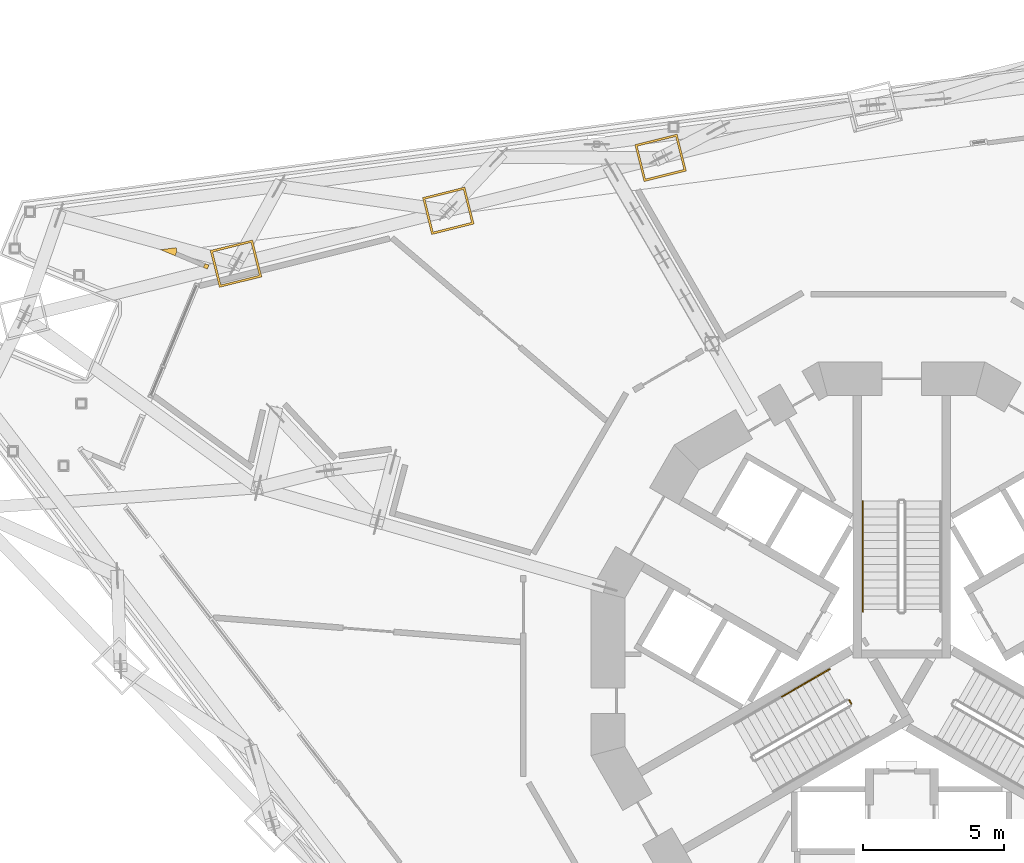
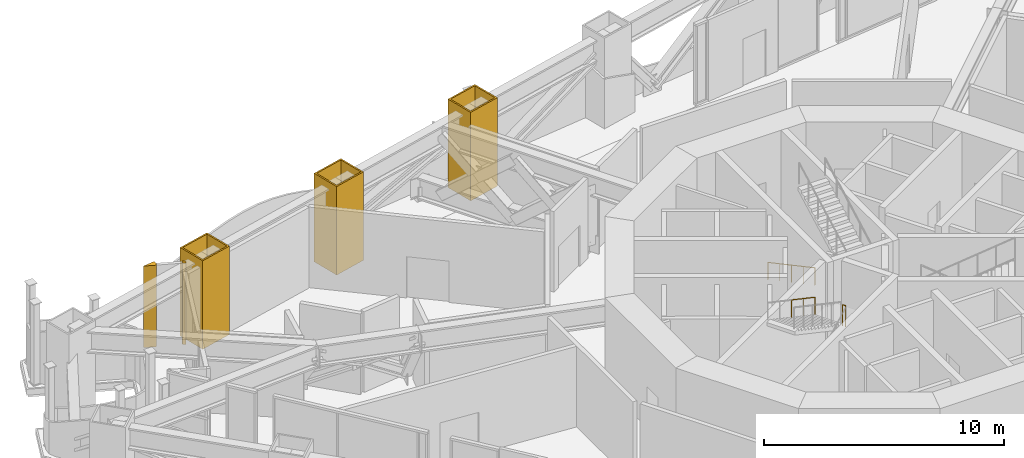
# One storey, part 29 of 31: 5 coverings, 3 railings.
"""IFC4 building model written with IfcOpenShell, lengths in metres."""

import ifcopenshell
import ifcopenshell.guid

model = None  # the IFC model being written
_history = None  # IfcOwnerHistory: only IFC2X3 demands one
_inside = {}  # id of a spatial element -> (the spatial element, [elements in it])
_under = {}  # id of a project, library or spatial element -> (it, [spatial elements below it])
_declared = {}  # id of a project -> (the project, [libraries it declares])
_typed = {}  # id of a type object -> (the type object, [elements of that type])
_made_of = {}  # id of a material, layer set ... -> (it, [elements and type objects made of it])


def new_model(schema):
    """Start an empty IFC model of exactly this schema.

    Asked for "IFC4X3", IfcOpenShell would pick the latest addendum, in which some entities
    have other attributes; the version numbers below select the first issue.
    IFC2X3 requires an IfcOwnerHistory on every rooted entity: one is made here for all.
    """
    global model, _history
    if schema == "IFC4X3":
        model = ifcopenshell.file(schema_version=(4, 3, 0, 0))
    else:
        model = ifcopenshell.file(schema=schema)
    _inside.clear()
    _under.clear()
    _declared.clear()
    _typed.clear()
    _made_of.clear()
    _history = None
    if model.schema == "IFC2X3":
        org = make("IfcOrganization", Name="unknown")
        user = make(
            "IfcPersonAndOrganization",
            ThePerson=make("IfcPerson", FamilyName="unknown"),
            TheOrganization=org,
        )
        app = make(
            "IfcApplication",
            ApplicationDeveloper=org,
            Version="unknown",
            ApplicationFullName="unknown",
            ApplicationIdentifier="unknown",
        )
        _history = make(
            "IfcOwnerHistory",
            OwningUser=user,
            OwningApplication=app,
            ChangeAction="ADDED",
            CreationDate=0,
        )
    return model


def make(cls, **values):
    """One entity of the class cls with the attributes given. An attribute that is None is left unset."""
    return model.create_entity(
        cls, **{name: value for name, value in values.items() if value is not None}
    )


def rooted(cls, **values):
    """An entity with a GlobalId (a new one), such as an element, a storey or a relation."""
    return make(cls, GlobalId=ifcopenshell.guid.new(), OwnerHistory=_history, **values)


def si_unit(unit_type, name, prefix=None):
    """IfcSIUnit, for example si_unit("LENGTHUNIT", "METRE", prefix="MILLI")."""
    return make("IfcSIUnit", UnitType=unit_type, Prefix=prefix, Name=name)


def assignment(units):
    """IfcUnitAssignment: the units of a project."""
    return None if units is None else make("IfcUnitAssignment", Units=units)


def point(xyz):
    """IfcCartesianPoint."""
    return None if xyz is None else make("IfcCartesianPoint", Coordinates=xyz)


def direction(xyz):
    """IfcDirection."""
    return None if xyz is None else make("IfcDirection", DirectionRatios=xyz)


def frame(location, z_axis=None, x_axis=None):
    """IfcAxis2Placement3D, a coordinate frame: its origin and axes. An axis left out is left unset."""
    return make(
        "IfcAxis2Placement3D",
        Location=point(location),
        Axis=direction(z_axis),
        RefDirection=direction(x_axis),
    )


def frame_2d(location, x_axis=None):
    """IfcAxis2Placement2D, a coordinate frame in the plane: its origin and x axis."""
    return make(
        "IfcAxis2Placement2D", Location=point(location), RefDirection=direction(x_axis)
    )


def origin():
    """The frame at (0, 0, 0) with its axes left unset."""
    return frame((0.0, 0.0, 0.0))


def origin_2d():
    """The frame at (0, 0) in the plane with its x axis left unset."""
    return frame_2d((0.0, 0.0))


def place(relative_to, where):
    """IfcLocalPlacement: puts the frame where relative to a parent placement (None: the world)."""
    return make(
        "IfcLocalPlacement", PlacementRelTo=relative_to, RelativePlacement=where
    )


def context(
    kind, dimensions, precision=None, world=None, true_north=None, identifier=None
):
    """IfcGeometricRepresentationContext, for example the 3D "Model" context."""
    return make(
        "IfcGeometricRepresentationContext",
        ContextIdentifier=identifier,
        ContextType=kind,
        CoordinateSpaceDimension=dimensions,
        Precision=precision,
        WorldCoordinateSystem=world,
        TrueNorth=true_north,
    )


def subcontext(parent, identifier, kind, view, scale=None):
    """IfcGeometricRepresentationSubContext, for example "Body" below "Model"."""
    return make(
        "IfcGeometricRepresentationSubContext",
        ContextIdentifier=identifier,
        ContextType=kind,
        ParentContext=parent,
        TargetScale=scale,
        TargetView=view,
    )


def project(units=None, contexts=None):
    """IfcProject with its units and contexts."""
    return rooted(
        "IfcProject",
        Name="project",
        RepresentationContexts=contexts,
        UnitsInContext=assignment(units),
    )


def spatial(cls, under=None, at=None, **own):
    """A site, building, storey or space (cls), placed at a placement, below another one or the project."""
    s = rooted(cls, ObjectPlacement=at, **own)
    if under is not None:
        _under.setdefault(under.id(), (under, []))[1].append(s)
    return s


def polyline(points):
    """IfcPolyline through the points."""
    return make("IfcPolyline", Points=[point(p) for p in points])


def profile(cls, at=None, kind="AREA", **sizes):
    """A parametric profile (cls). Its sizes go by their IFC names, for example OverallWidth=200.0."""
    return make(cls, ProfileType=kind, Position=at, **sizes)


def circle(**sizes):
    """IfcCircleProfileDef."""
    return profile("IfcCircleProfileDef", **sizes)


def outline(outer, holes=None, kind="AREA"):
    """IfcArbitraryClosedProfileDef: a profile drawn as a closed curve; with holes, ...WithVoids."""
    if holes is None:
        return make("IfcArbitraryClosedProfileDef", ProfileType=kind, OuterCurve=outer)
    return make(
        "IfcArbitraryProfileDefWithVoids",
        ProfileType=kind,
        OuterCurve=outer,
        InnerCurves=holes,
    )


def extrude(swept, where, along, depth):
    """IfcExtrudedAreaSolid: the profile swept, set in the frame where, extruded along a direction by depth."""
    return make(
        "IfcExtrudedAreaSolid",
        SweptArea=swept,
        Position=where,
        ExtrudedDirection=direction(along),
        Depth=depth,
    )


def shape(context_of_items, identifier, shape_type, items):
    """IfcShapeRepresentation: the items that make up one representation, for example the "Body"."""
    return make(
        "IfcShapeRepresentation",
        ContextOfItems=context_of_items,
        RepresentationIdentifier=identifier,
        RepresentationType=shape_type,
        Items=items,
    )


def material(Name=None, Category=None):
    """IfcMaterial."""
    return make("IfcMaterial", Name=Name, Category=Category)


def layer(
    of_material, thickness, ventilated=None, Name=None, Category=None, Priority=None
):
    """IfcMaterialLayer: one layer of a wall or slab, of a material (None: an air gap)."""
    return make(
        "IfcMaterialLayer",
        Material=of_material,
        LayerThickness=thickness,
        IsVentilated=ventilated,
        Name=Name,
        Category=Category,
        Priority=Priority,
    )


def layer_set(layers, Name=None):
    """IfcMaterialLayerSet."""
    return make("IfcMaterialLayerSet", MaterialLayers=layers, LayerSetName=Name)


def made_of(thing, what):
    """Note that an element or type object is made of a material, layer set ...; save() writes the relation."""
    if what is not None:
        _made_of.setdefault(what.id(), (what, []))[1].append(thing)
    return thing


def type_object(cls, material=None, **own):
    """A type object (cls), such as IfcWallType, which elements share."""
    return made_of(rooted(cls, **own), material)


def element(
    cls,
    number,
    at=None,
    inside=None,
    cuts=None,
    type_object=None,
    material=None,
    context=None,
    identifier="Body",
    shape_type=None,
    held_by="IfcProductDefinitionShape",
    body=None,
    shapes=None,
    **own,
):
    """One element of the class cls, such as IfcWall. Its Tag is "e" and its number.

    at: its placement. inside: the storey or other place that contains it. cuts: it is an
    opening in that element (IfcRelVoidsElement). A single representation is given by context,
    identifier, shape_type and body (its items); several are given by shapes. held_by: the class
    of the entity that holds the representations. save() writes the other relations.
    """
    e = rooted(cls, Tag="e%d" % number, ObjectPlacement=at, **own)
    if body is not None:
        shapes = [shape(context, identifier, shape_type, body)]
    if shapes is not None:
        e.Representation = make(held_by, Representations=shapes)
    if inside is not None:
        _inside.setdefault(inside.id(), (inside, []))[1].append(e)
    if cuts is not None:
        rooted(
            "IfcRelVoidsElement", RelatingBuildingElement=cuts, RelatedOpeningElement=e
        )
    if type_object is not None:
        _typed.setdefault(type_object.id(), (type_object, []))[1].append(e)
    return made_of(e, material)


def aggregate(whole, parts):
    """IfcRelAggregates: a whole, such as a stair, and the parts it consists of."""
    return rooted("IfcRelAggregates", RelatingObject=whole, RelatedObjects=parts)


def save(model, path):
    """Write the relations noted so far, then the file.

    IfcRelAggregates (storeys below a building ...), IfcRelContainedInSpatialStructure (elements
    in a storey), IfcRelDefinesByType, IfcRelAssociatesMaterial and IfcRelDeclares: one each for
    every whole, place, type object, material and project.
    """
    for whole, parts in _under.values():
        aggregate(whole, parts)
    for where, things in _inside.values():
        rooted(
            "IfcRelContainedInSpatialStructure",
            RelatedElements=things,
            RelatingStructure=where,
        )
    for kind, things in _typed.values():
        rooted("IfcRelDefinesByType", RelatedObjects=things, RelatingType=kind)
    for what, things in _made_of.values():
        rooted("IfcRelAssociatesMaterial", RelatedObjects=things, RelatingMaterial=what)
    for by, libraries in _declared.values():
        rooted("IfcRelDeclares", RelatingContext=by, RelatedDefinitions=libraries)
    model.write(path)


model = new_model("IFC4")

# Units and contexts
model_context = context("Model", 3, precision=1e-05, world=origin(), true_north=direction((0.0, 1.0)))
body_context = subcontext(model_context, "Body", "Model", "MODEL_VIEW")
ifc_project = project(units=[si_unit("LENGTHUNIT", "METRE"), si_unit("AREAUNIT", "SQUARE_METRE"), si_unit("VOLUMEUNIT", "CUBIC_METRE"), si_unit("PLANEANGLEUNIT", "RADIAN"), si_unit("MASSUNIT", "GRAM", prefix="KILO")], contexts=[model_context])

# Site, building, storey
site_placement = place(None, origin())
site = spatial("IfcSite", under=ifc_project, at=site_placement, CompositionType="ELEMENT")
building_placement = place(site_placement, origin())
building = spatial("IfcBuilding", under=site, at=building_placement, Name="Trine Commons Tower", CompositionType="ELEMENT")
storey_placement = place(building_placement, frame((0.0, 0.0, 82.800048828125)))
storey = spatial("IfcBuildingStorey", under=building, at=storey_placement, Name="L20", CompositionType="ELEMENT", Elevation=82.800048828125)

# Coverings
ifc_material_1 = material(Name="Aluminium-framed insulated wall panel", Category="aluminium")
ifc_layer_1 = layer(ifc_material_1, 0.14990234375)
ifc_layer_set_1 = layer_set([ifc_layer_1], Name="Aluminium-framed insulated wall panel")
covering_type_1 = type_object("IfcCoveringType", Name="Glazing corner post, aluminium", PredefinedType="CLADDING", material=ifc_layer_set_1)
covering_1_placement = place(storey_placement, origin())
element("IfcCovering", 1, at=covering_1_placement, inside=storey, type_object=covering_type_1, Name="Glazing corner post 2-03", PredefinedType="CLADDING", context=body_context, shape_type="SweptSolid", body=[
    extrude(outline(polyline([(55.384521484375, 76.79833984375), (55.44189453125, 76.93701171875), (55.30322265625, 76.994384765625), (55.245849609375, 76.855712890625), (55.384521484375, 76.79833984375)])), origin(), (0.0, 0.0, 1.0), 4.14990234375),
])
covering_2_placement = place(storey_placement, origin())
element("IfcCovering", 2, at=covering_2_placement, inside=storey, type_object=covering_type_1, Name="Glazing corner post 2-04", PredefinedType="CLADDING", context=body_context, shape_type="SweptSolid", body=[
    extrude(outline(polyline([(54.242919921875, 77.271240234375), (54.30029296875, 77.409912109375), (54.280517578125, 77.55859375), (53.7255859375, 77.485595703125), (54.242919921875, 77.271240234375)])), origin(), (0.0, 0.0, 1.0), 4.14990234375),
])
ifc_material_2 = material(Name="Limestone, honed", Category="masonry")
ifc_layer_2 = layer(ifc_material_2, 0.074951171875)
ifc_layer_set_2 = layer_set([ifc_layer_2], Name="Limestone, honed")
covering_type_2 = type_object("IfcCoveringType", Name="Limestone column cladding 75", PredefinedType="CLADDING", material=ifc_layer_set_2)
covering_3_placement = place(storey_placement, origin())
element("IfcCovering", 3, at=covering_3_placement, inside=storey, type_object=covering_type_2, Name="Limestone pier cladding 3-10", PredefinedType="CLADDING", context=body_context, shape_type="SweptSolid", body=[
    extrude(outline(polyline([(57.314697265625, 76.522216796875), (56.988037109375, 77.832275390625), (55.484130859375, 77.457275390625), (55.810791015625, 76.1474609375), (57.314697265625, 76.522216796875)]), holes=[polyline([(57.223876953125, 76.576904296875), (56.93359375, 77.7412109375), (55.574951171875, 77.402587890625), (55.865234375, 76.23828125), (57.223876953125, 76.576904296875)])]), origin(), (0.0, 0.0, 1.0), 4.5),
])
covering_4_placement = place(storey_placement, origin())
element("IfcCovering", 4, at=covering_4_placement, inside=storey, type_object=covering_type_2, Name="Limestone pier cladding 3-11", PredefinedType="CLADDING", context=body_context, shape_type="SweptSolid", body=[
    extrude(outline(polyline([(64.841796875, 78.399169921875), (64.515380859375, 79.708984375), (63.01123046875, 79.333984375), (63.337890625, 78.024169921875), (64.841796875, 78.399169921875)]), holes=[polyline([(64.7509765625, 78.453857421875), (64.460693359375, 79.6181640625), (63.102294921875, 79.279296875), (63.392578125, 78.114990234375), (64.7509765625, 78.453857421875)])]), origin(), (0.0, 0.0, 1.0), 4.5),
])
covering_5_placement = place(storey_placement, origin())
element("IfcCovering", 5, at=covering_5_placement, inside=storey, type_object=covering_type_2, Name="Limestone pier cladding 3-12", PredefinedType="CLADDING", context=body_context, shape_type="SweptSolid", body=[
    extrude(outline(polyline([(72.369140625, 80.27587890625), (72.04248046875, 81.585693359375), (70.53857421875, 81.210693359375), (70.865234375, 79.90087890625), (72.369140625, 80.27587890625)]), holes=[polyline([(72.2783203125, 80.33056640625), (71.988037109375, 81.494873046875), (70.62939453125, 81.156005859375), (70.919921875, 79.99169921875), (72.2783203125, 80.33056640625)])]), origin(), (0.0, 0.0, 1.0), 4.5),
])

# Railings
ifc_material_3 = material(Name="Stainless steel balustrade", Category="steel")
railing_type_1 = type_object("IfcRailingType", Name="Stair guard, steel balustrade 1100", PredefinedType="GUARDRAIL", material=ifc_material_3)
railing_1_placement = place(storey_placement, frame((78.21826171875, 61.384765625, 2.25)))
element("IfcRailing", 6, at=railing_1_placement, inside=storey, type_object=railing_type_1, Name="L20 ST2A stair guard 2", PredefinedType="GUARDRAIL", context=body_context, shape_type="SweptSolid", body=[
    extrude(circle(Radius=0.02392578125, at=origin_2d()), frame((0.0, 0.0, 1.076171875), z_axis=(-0.499816412211, 0.866131372301, 0.0), x_axis=(-0.866131372301, -0.499816412211, 0.0)), (0.0, 0.0, 1.0), 0.14990234375),
    extrude(circle(Radius=0.02099609375, at=origin_2d()), origin(), (0.0, 0.0, 1.0), 1.052001953125),
    extrude(circle(Radius=0.02099609375, at=origin_2d()), frame((-0.074951171875, 0.1298828125, 0.0)), (0.0, 0.0, 1.0), 1.052001953125),
])
ifc_material_4 = material(Name="Stainless steel handrail", Category="steel")
railing_type_2 = type_object("IfcRailingType", Name="Stair handrail, steel 900", PredefinedType="HANDRAIL", material=ifc_material_4)
railing_2_placement = place(storey_placement, frame((78.625, 68.570556640625, 0.14990234375)))
element("IfcRailing", 7, at=railing_2_placement, inside=storey, type_object=railing_type_2, Name="L20 ST1A stair handrail 1", PredefinedType="HANDRAIL", context=body_context, shape_type="SweptSolid", body=[
    extrude(circle(Radius=0.02099609375, at=origin_2d()), frame((0.0, 0.0, 0.87890625), z_axis=(0.0, -0.881466911329, 0.472245787945), x_axis=(1.0, 0.0, 0.0)), (0.0, 0.0, 1.0), 4.447021484375),
    extrude(circle(Radius=0.01513671875, at=origin_2d()), origin(), (0.0, 0.0, 1.0), 0.85791015625),
    extrude(circle(Radius=0.01513671875, at=origin_2d()), frame((0.0, -0.97998046875, 0.52490234375)), (0.0, 0.0, 1.0), 0.85791015625),
    extrude(circle(Radius=0.01513671875, at=origin_2d()), frame((0.0, -1.9599609375, 1.050048828125)), (0.0, 0.0, 1.0), 0.85791015625),
    extrude(circle(Radius=0.01513671875, at=origin_2d()), frame((0.0, -2.93994140625, 1.5751953125)), (0.0, 0.0, 1.0), 0.85791015625),
    extrude(circle(Radius=0.01513671875, at=origin_2d()), frame((0.0, -3.919921875, 2.10009765625)), (0.0, 0.0, 1.0), 0.85791015625),
])
railing_3_placement = place(storey_placement, frame((77.449951171875, 62.615478515625, 2.39990234375)))
element("IfcRailing", 8, at=railing_3_placement, inside=storey, type_object=railing_type_2, Name="L20 ST2A stair handrail 3", PredefinedType="HANDRAIL", context=body_context, shape_type="SweptSolid", body=[
    extrude(circle(Radius=0.02099609375, at=origin_2d()), frame((0.0, 0.0, 0.87890625), z_axis=(-0.763352030933, -0.440750151347, 0.472263677365), x_axis=(0.500024377727, -0.866011328839, 0.0)), (0.0, 0.0, 1.0), 2.223388671875),
    extrude(circle(Radius=0.01513671875, at=origin_2d()), origin(), (0.0, 0.0, 1.0), 0.85791015625),
    extrude(circle(Radius=0.01513671875, at=origin_2d()), frame((-0.8486328125, -0.489990234375, 0.52490234375)), (0.0, 0.0, 1.0), 0.85791015625),
    extrude(circle(Radius=0.01513671875, at=origin_2d()), frame((-1.697265625, -0.97998046875, 1.050048828125)), (0.0, 0.0, 1.0), 0.85791015625),
])

save(model, "model.ifc")
